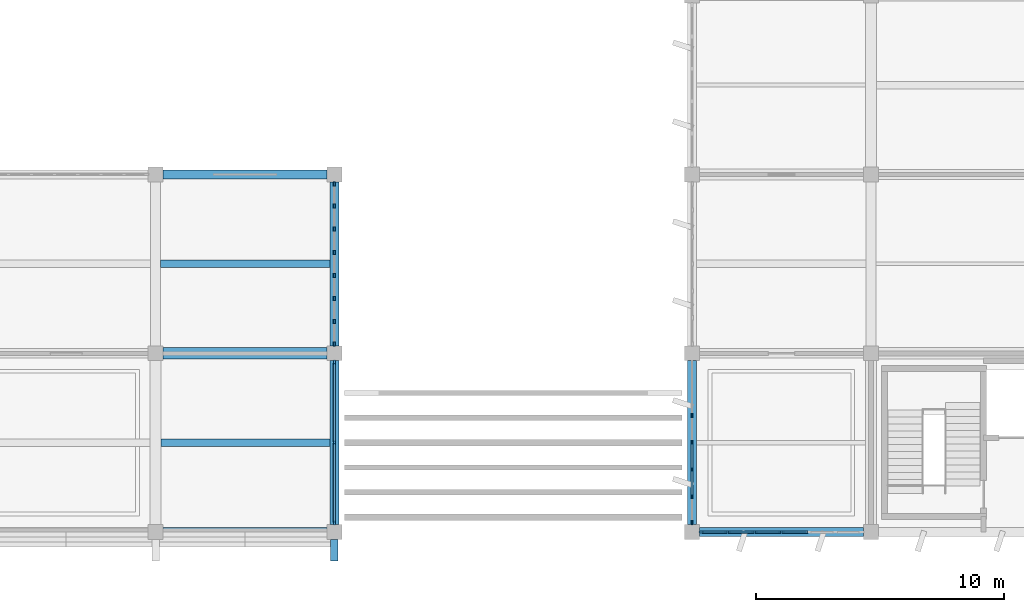
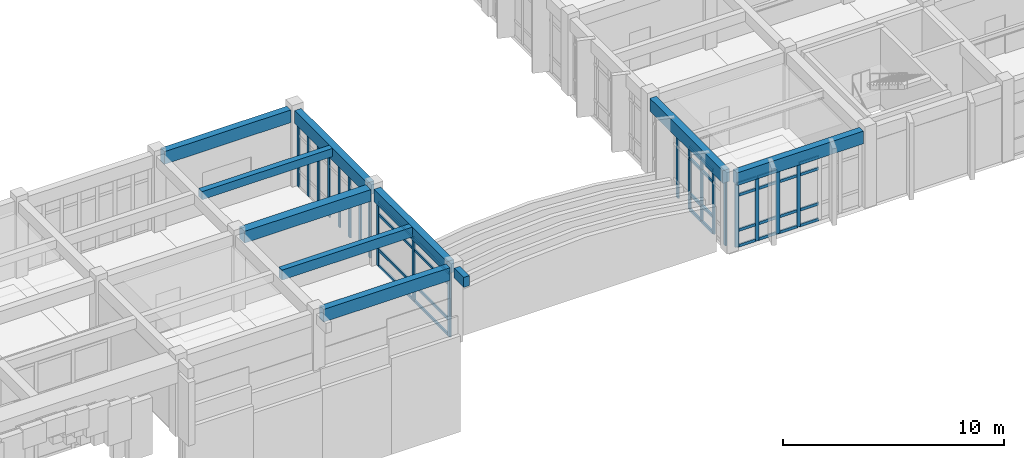
# One storey, part 11 of 81: 52 members, 10 beams, 4 elements without a shape of their own.
"""IFC4 building model written with IfcOpenShell, lengths in metres."""

from ifc_helpers import new_model, si_unit, direction, frame, origin, origin_2d, place, context, subcontext, project, spatial, rectangle, extrude, material, layer, layer_set, material_profile, profile_set, type_object, element, aggregate, save


model = new_model("IFC4")

# Units and contexts
model_context = context("Model", 3, precision=1e-05, world=origin(), true_north=direction((0.0, 1.0)))
body_context = subcontext(model_context, "Body", "Model", "MODEL_VIEW")
ifc_project = project(units=[si_unit("LENGTHUNIT", "METRE"), si_unit("AREAUNIT", "SQUARE_METRE"), si_unit("VOLUMEUNIT", "CUBIC_METRE"), si_unit("PLANEANGLEUNIT", "RADIAN"), si_unit("MASSUNIT", "GRAM", prefix="KILO")], contexts=[model_context])

# Site, building, storey
site_placement = place(None, origin())
site = spatial("IfcSite", under=ifc_project, at=site_placement, CompositionType="ELEMENT")
building_placement = place(site_placement, origin())
building = spatial("IfcBuilding", under=site, at=building_placement, Name="Kavelor Marine Aquarium", CompositionType="ELEMENT")
storey_placement = place(building_placement, frame((0.0, 0.0, 4.679931640625)))
storey = spatial("IfcBuildingStorey", under=building, at=storey_placement, Name="L01", CompositionType="ELEMENT", Elevation=4.679931640625)

# Beams
ifc_material_1 = material(Name="Concrete C40/50", Category="concrete")
ifc_material_profile_1 = material_profile(ifc_material_1, rectangle(XDim=0.449951171875, YDim=0.64990234375, at=origin_2d()), Name="RC-BM 450x650")
ifc_profile_set_1 = profile_set([ifc_material_profile_1], Name="Concrete C40/50")
beam_type_1 = type_object("IfcBeamType", Name="BM-B3", PredefinedType="BEAM", material=ifc_profile_set_1)
beam_1_placement = place(storey_placement, frame((97.10009765625, 10.0, 3.875), z_axis=(1.0, 0.0, 0.0), x_axis=(0.0, 1.0, 0.0)))
element("IfcBeam", 1, at=beam_1_placement, inside=storey, type_object=beam_type_1, Name="bm:x:L01:L02:13_01", PredefinedType="BEAM", context=body_context, shape_type="SweptSolid", body=[
    extrude(rectangle(XDim=0.449951171875, YDim=0.64990234375, at=origin_2d()), origin(), (0.0, 0.0, 1.0), 6.599853515625),
])
ifc_material_2 = material(Name="Concrete C40/50", Category="concrete")
ifc_material_profile_2 = material_profile(ifc_material_2, rectangle(XDim=0.300048828125, YDim=0.449951171875, at=origin_2d()), Name="RC-JS 300x450")
ifc_profile_set_2 = profile_set([ifc_material_profile_2], Name="Concrete C40/50")
beam_type_2 = type_object("IfcBeamType", Name="BM-JS1", PredefinedType="JOIST", material=ifc_profile_set_2)
beam_2_placement = place(storey_placement, frame((97.0, 13.60009765625, 3.97509765625), z_axis=(1.0, 0.0, 0.0), x_axis=(0.0, 1.0, 0.0)))
element("IfcBeam", 2, at=beam_2_placement, inside=storey, type_object=beam_type_2, Name="js:L01:L02:13_01", PredefinedType="JOIST", context=body_context, shape_type="SweptSolid", body=[
    extrude(rectangle(XDim=0.300048828125, YDim=0.449951171875, at=origin_2d()), origin(), (0.0, 0.0, 1.0), 6.824951171875),
])
ifc_material_3 = material(Name="Concrete C40/50", Category="concrete")
ifc_material_profile_3 = material_profile(ifc_material_3, rectangle(XDim=0.300048828125, YDim=0.550048828125, at=origin_2d()), Name="RC-JS 300x550")
ifc_profile_set_3 = profile_set([ifc_material_profile_3], Name="Concrete C40/50")
beam_type_3 = type_object("IfcBeamType", Name="BM-JS2", PredefinedType="JOIST", material=ifc_profile_set_3)
beam_3_placement = place(storey_placement, frame((97.02490234375, 6.39990234375, 3.945068359375), z_axis=(1.0, 0.0, 0.0), x_axis=(0.0, 1.0, 0.0)))
element("IfcBeam", 3, at=beam_3_placement, inside=storey, type_object=beam_type_3, Name="js:L01:L02:13_00", PredefinedType="JOIST", context=body_context, shape_type="SweptSolid", body=[
    extrude(rectangle(XDim=0.300048828125, YDim=0.550048828125, at=origin_2d()), origin(), (0.0, 0.0, 1.0), 6.800048828125),
])
ifc_material_4 = material(Name="Concrete C40/50", Category="concrete")
ifc_material_profile_4 = material_profile(ifc_material_4, rectangle(XDim=0.35009765625, YDim=0.699951171875, at=origin_2d()), Name="RC-SP 350x700")
ifc_profile_set_4 = profile_set([ifc_material_profile_4], Name="Concrete C40/50")
beam_type_4 = type_object("IfcBeamType", Name="BM-SP1", PredefinedType="SPANDREL", material=ifc_profile_set_4)
for number, where, z_axis, x_axis, name in (
    (4, (97.10009765625, 2.800048828125, 3.8701171875), (1.0, 0.0, 0.0), (0.0, 1.0, 0.0), "bm:x:L01:L02:13_00"),
    (5, (97.10009765625, 17.199951171875, 3.85009765625), (1.0, 0.0, 0.0), (0.0, 1.0, 0.0), "bm:x:L01:L02:13_02"),
):
    element("IfcBeam", number, at=place(storey_placement, frame(where, z_axis=z_axis, x_axis=x_axis)), inside=storey, type_object=beam_type_4, Name=name, PredefinedType="SPANDREL", context=body_context, shape_type="SweptSolid", body=[
        extrude(rectangle(XDim=0.35009765625, YDim=0.699951171875, at=origin_2d()), origin(), (0.0, 0.0, 1.0), 6.599853515625),
    ])
beam_4_placement = place(storey_placement, frame((118.699951171875, 2.800048828125, 3.85009765625), z_axis=(1.0, 0.0, 0.0), x_axis=(0.0, 1.0, 0.0)))
element("IfcBeam", 6, at=beam_4_placement, inside=storey, type_object=beam_type_4, Name="bm:x:L01:L02:16_00", PredefinedType="SPANDREL", context=body_context, shape_type="SweptSolid", body=[
    extrude(rectangle(XDim=0.35009765625, YDim=0.699951171875, at=origin_2d()), origin(), (0.0, 0.0, 1.0), 6.60009765625),
])
for number, where, z_axis, x_axis, name in (
    (7, (104.0, 3.10009765625, 3.8701171875), (0.0, 1.0, 0.0), (-1.0, 0.0, 0.0), "bm:y:L01:L02:14_00"),
    (8, (104.0, 10.300048828125, 3.85009765625), (0.0, 1.0, 0.0), (-1.0, 0.0, 0.0), "bm:y:L01:L02:14_01"),
    (9, (118.39990234375, 3.10009765625, 3.85009765625), (0.0, 1.0, 0.0), (-1.0, 0.0, 0.0), "bm:y:L01:L02:16_00"),
):
    element("IfcBeam", number, at=place(storey_placement, frame(where, z_axis=z_axis, x_axis=x_axis)), inside=storey, type_object=beam_type_4, Name=name, PredefinedType="SPANDREL", context=body_context, shape_type="SweptSolid", body=[
        extrude(rectangle(XDim=0.35009765625, YDim=0.699951171875, at=origin_2d()), origin(), (0.0, 0.0, 1.0), 6.599853515625),
    ])
ifc_material_5 = material(Name="Concrete C40/50", Category="concrete")
ifc_material_profile_5 = material_profile(ifc_material_5, rectangle(XDim=0.300048828125, YDim=0.550048828125, at=origin_2d()), Name="RC-SP 300x550")
ifc_profile_set_5 = profile_set([ifc_material_profile_5], Name="Concrete C40/50")
beam_type_5 = type_object("IfcBeamType", Name="BM-SP2", PredefinedType="SPANDREL", material=ifc_profile_set_5)
beam_5_placement = place(storey_placement, frame((104.0, 1.639892578125, 3.945068359375), z_axis=(0.0, 1.0, 0.0), x_axis=(-1.0, 0.0, 0.0)))
element("IfcBeam", 10, at=beam_5_placement, inside=storey, type_object=beam_type_5, Name="bm:out:s:L01:L02:14", PredefinedType="SPANDREL", context=body_context, shape_type="SweptSolid", body=[
    extrude(rectangle(XDim=0.300048828125, YDim=0.550048828125, at=origin_2d()), origin(), (0.0, 0.0, 1.0), 0.860107421875),
])

# Curtain wall, members
ifc_material_6 = material(Name="Thermally Broken Aluminium and Low-E Glass", Category="aluminium")
ifc_layer_1 = layer(ifc_material_6, 0.14794921875)
ifc_layer_set_1 = layer_set([ifc_layer_1], Name="CW-SYS1")
curtain_wall_type_1 = type_object("IfcCurtainWallType", Name="CW-SYS1", PredefinedType="USERDEFINED", material=ifc_layer_set_1)
curtain_wall_1_placement = place(storey_placement, origin())
curtain_wall_1 = element("IfcCurtainWall", 11, at=curtain_wall_1_placement, inside=storey, type_object=curtain_wall_type_1, Name="cw:y:L01:14_01", ObjectType="Curtain Wall", PredefinedType="USERDEFINED")
ifc_material_7 = material(Name="Anodised Aluminium Alloy 6063-T6", Category="aluminium")
ifc_material_profile_6 = material_profile(ifc_material_7, rectangle(XDim=0.074951171875, YDim=0.179931640625, at=origin_2d()), Name="CW-MUL 75x180")
ifc_profile_set_6 = profile_set([ifc_material_profile_6], Name="Anodised Aluminium Alloy 6063-T6")
member_type_1 = type_object("IfcMemberType", Name="CWM-1", PredefinedType="MULLION", material=ifc_profile_set_6)
member_1_placement = place(storey_placement, frame((104.0, 10.382568359375, 0.0), z_axis=(0.0, 0.0, 1.0), x_axis=(-1.0, 0.0, 0.0)))
member_1 = element("IfcMember", 12, at=member_1_placement, type_object=member_type_1, Name="CW01 mullion 1", PredefinedType="MULLION", context=body_context, shape_type="SweptSolid", body=[
    extrude(rectangle(XDim=0.074951171875, YDim=0.179931640625, at=origin_2d()), origin(), (0.0, 0.0, 1.0), 3.489990234375),
])
member_2_placement = place(storey_placement, frame((104.0, 11.27490234375, 0.0), z_axis=(0.0, 0.0, 1.0), x_axis=(-1.0, 0.0, 0.0)))
member_2 = element("IfcMember", 13, at=member_2_placement, type_object=member_type_1, Name="CW01 mullion 2", PredefinedType="MULLION", context=body_context, shape_type="SweptSolid", body=[
    extrude(rectangle(XDim=0.074951171875, YDim=0.179931640625, at=origin_2d()), origin(), (0.0, 0.0, 1.0), 3.489990234375),
])
member_3_placement = place(storey_placement, frame((104.0, 12.205078125, 0.0), z_axis=(0.0, 0.0, 1.0), x_axis=(-1.0, 0.0, 0.0)))
member_3 = element("IfcMember", 14, at=member_3_placement, type_object=member_type_1, Name="CW01 mullion 3", PredefinedType="MULLION", context=body_context, shape_type="SweptSolid", body=[
    extrude(rectangle(XDim=0.074951171875, YDim=0.179931640625, at=origin_2d()), origin(), (0.0, 0.0, 1.0), 3.489990234375),
])
member_4_placement = place(storey_placement, frame((104.0, 13.135009765625, 0.0), z_axis=(0.0, 0.0, 1.0), x_axis=(-1.0, 0.0, 0.0)))
member_4 = element("IfcMember", 15, at=member_4_placement, type_object=member_type_1, Name="CW01 mullion 4", PredefinedType="MULLION", context=body_context, shape_type="SweptSolid", body=[
    extrude(rectangle(XDim=0.074951171875, YDim=0.179931640625, at=origin_2d()), origin(), (0.0, 0.0, 1.0), 3.489990234375),
])
member_5_placement = place(storey_placement, frame((104.0, 14.06494140625, 0.0), z_axis=(0.0, 0.0, 1.0), x_axis=(-1.0, 0.0, 0.0)))
member_5 = element("IfcMember", 16, at=member_5_placement, type_object=member_type_1, Name="CW01 mullion 5", PredefinedType="MULLION", context=body_context, shape_type="SweptSolid", body=[
    extrude(rectangle(XDim=0.074951171875, YDim=0.179931640625, at=origin_2d()), origin(), (0.0, 0.0, 1.0), 3.489990234375),
])
member_6_placement = place(storey_placement, frame((104.0, 14.9951171875, 0.0), z_axis=(0.0, 0.0, 1.0), x_axis=(-1.0, 0.0, 0.0)))
member_6 = element("IfcMember", 17, at=member_6_placement, type_object=member_type_1, Name="CW01 mullion 6", PredefinedType="MULLION", context=body_context, shape_type="SweptSolid", body=[
    extrude(rectangle(XDim=0.074951171875, YDim=0.179931640625, at=origin_2d()), origin(), (0.0, 0.0, 1.0), 3.489990234375),
])
member_7_placement = place(storey_placement, frame((104.0, 15.925048828125, 0.0), z_axis=(0.0, 0.0, 1.0), x_axis=(-1.0, 0.0, 0.0)))
member_7 = element("IfcMember", 18, at=member_7_placement, type_object=member_type_1, Name="CW01 mullion 7", PredefinedType="MULLION", context=body_context, shape_type="SweptSolid", body=[
    extrude(rectangle(XDim=0.074951171875, YDim=0.179931640625, at=origin_2d()), origin(), (0.0, 0.0, 1.0), 3.489990234375),
])
member_8_placement = place(storey_placement, frame((104.0, 16.8173828125, 0.0), z_axis=(0.0, 0.0, 1.0), x_axis=(-1.0, 0.0, 0.0)))
member_8 = element("IfcMember", 19, at=member_8_placement, type_object=member_type_1, Name="CW01 mullion 8", PredefinedType="MULLION", context=body_context, shape_type="SweptSolid", body=[
    extrude(rectangle(XDim=0.074951171875, YDim=0.179931640625, at=origin_2d()), origin(), (0.0, 0.0, 1.0), 3.489990234375),
])
aggregate(curtain_wall_1, [member_1, member_2, member_3, member_4, member_5, member_6, member_7, member_8])

ifc_material_8 = material(Name="Thermally Broken Aluminium and Low-E Glass", Category="aluminium")
ifc_layer_2 = layer(ifc_material_8, 0.172119140625)
ifc_layer_set_2 = layer_set([ifc_layer_2], Name="CW-SYS4")
curtain_wall_type_2 = type_object("IfcCurtainWallType", Name="CW-SYS4", PredefinedType="USERDEFINED", material=ifc_layer_set_2)
curtain_wall_2_placement = place(storey_placement, origin())
curtain_wall_2 = element("IfcCurtainWall", 20, at=curtain_wall_2_placement, inside=storey, type_object=curtain_wall_type_2, Name="cw:y:L01:16_00", ObjectType="Curtain Wall", PredefinedType="USERDEFINED")
member_9_placement = place(storey_placement, frame((118.39990234375, 7.485107421875, 0.0), z_axis=(0.0, 0.0, 1.0), x_axis=(1.0, 0.0, 0.0)))
member_9 = element("IfcMember", 21, at=member_9_placement, type_object=member_type_1, Name="CW04 mullion 3", PredefinedType="MULLION", context=body_context, shape_type="SweptSolid", body=[
    extrude(rectangle(XDim=0.074951171875, YDim=0.179931640625, at=origin_2d()), origin(), (0.0, 0.0, 1.0), 3.489990234375),
])
member_10_placement = place(storey_placement, frame((118.39990234375, 6.39990234375, 0.0), z_axis=(0.0, 0.0, 1.0), x_axis=(1.0, 0.0, 0.0)))
member_10 = element("IfcMember", 22, at=member_10_placement, type_object=member_type_1, Name="CW04 mullion 4", PredefinedType="MULLION", context=body_context, shape_type="SweptSolid", body=[
    extrude(rectangle(XDim=0.074951171875, YDim=0.179931640625, at=origin_2d()), origin(), (0.0, 0.0, 1.0), 3.489990234375),
])
member_11_placement = place(storey_placement, frame((118.39990234375, 5.31494140625, 0.0), z_axis=(0.0, 0.0, 1.0), x_axis=(1.0, 0.0, 0.0)))
member_11 = element("IfcMember", 23, at=member_11_placement, type_object=member_type_1, Name="CW04 mullion 5", PredefinedType="MULLION", context=body_context, shape_type="SweptSolid", body=[
    extrude(rectangle(XDim=0.074951171875, YDim=0.179931640625, at=origin_2d()), origin(), (0.0, 0.0, 1.0), 3.489990234375),
])
member_12_placement = place(storey_placement, frame((118.39990234375, 4.22998046875, 0.0), z_axis=(0.0, 0.0, 1.0), x_axis=(1.0, 0.0, 0.0)))
member_12 = element("IfcMember", 24, at=member_12_placement, type_object=member_type_1, Name="CW04 mullion 6", PredefinedType="MULLION", context=body_context, shape_type="SweptSolid", body=[
    extrude(rectangle(XDim=0.074951171875, YDim=0.179931640625, at=origin_2d()), origin(), (0.0, 0.0, 1.0), 3.489990234375),
])
member_13_placement = place(storey_placement, frame((118.39990234375, 3.1826171875, 0.0), z_axis=(0.0, 0.0, 1.0), x_axis=(1.0, 0.0, 0.0)))
member_13 = element("IfcMember", 25, at=member_13_placement, type_object=member_type_1, Name="CW04 mullion 7", PredefinedType="MULLION", context=body_context, shape_type="SweptSolid", body=[
    extrude(rectangle(XDim=0.074951171875, YDim=0.179931640625, at=origin_2d()), origin(), (0.0, 0.0, 1.0), 3.489990234375),
])

ifc_material_9 = material(Name="Thermally Broken Aluminium and Low-E Glass", Category="aluminium")
ifc_layer_3 = layer(ifc_material_9, 0.1640625)
ifc_layer_set_3 = layer_set([ifc_layer_3], Name="CW-SYS3")
curtain_wall_type_3 = type_object("IfcCurtainWallType", Name="CW-SYS3", PredefinedType="USERDEFINED", material=ifc_layer_set_3)
curtain_wall_3_placement = place(storey_placement, origin())
curtain_wall_3 = element("IfcCurtainWall", 26, at=curtain_wall_3_placement, inside=storey, type_object=curtain_wall_type_3, Name="cw:x:L01:16_00", ObjectType="Curtain Wall", PredefinedType="USERDEFINED")
ifc_material_10 = material(Name="Anodised Aluminium Alloy 6063-T6", Category="aluminium")
ifc_material_profile_7 = material_profile(ifc_material_10, rectangle(XDim=0.0849609375, YDim=0.18994140625, at=origin_2d()), Name="CW-MUL 85x190")
ifc_profile_set_7 = profile_set([ifc_material_profile_7], Name="Anodised Aluminium Alloy 6063-T6")
member_type_2 = type_object("IfcMemberType", Name="CWM-3", PredefinedType="MULLION", material=ifc_profile_set_7)
member_14_placement = place(storey_placement, frame((122.0, 2.800048828125, 0.0), z_axis=(0.0, 0.0, 1.0), x_axis=(0.0, -1.0, 0.0)))
member_14 = element("IfcMember", 27, at=member_14_placement, type_object=member_type_2, Name="CW03 mullion 4", PredefinedType="MULLION", context=body_context, shape_type="SweptSolid", body=[
    extrude(rectangle(XDim=0.0849609375, YDim=0.18994140625, at=origin_2d()), origin(), (0.0, 0.0, 1.0), 3.489990234375),
])
member_15_placement = place(storey_placement, frame((120.9150390625, 2.800048828125, 0.0), z_axis=(0.0, 0.0, 1.0), x_axis=(0.0, -1.0, 0.0)))
member_15 = element("IfcMember", 28, at=member_15_placement, type_object=member_type_2, Name="CW03 mullion 5", PredefinedType="MULLION", context=body_context, shape_type="SweptSolid", body=[
    extrude(rectangle(XDim=0.0849609375, YDim=0.18994140625, at=origin_2d()), origin(), (0.0, 0.0, 1.0), 3.489990234375),
])
member_16_placement = place(storey_placement, frame((119.830078125, 2.800048828125, 0.0), z_axis=(0.0, 0.0, 1.0), x_axis=(0.0, -1.0, 0.0)))
member_16 = element("IfcMember", 29, at=member_16_placement, type_object=member_type_2, Name="CW03 mullion 6", PredefinedType="MULLION", context=body_context, shape_type="SweptSolid", body=[
    extrude(rectangle(XDim=0.0849609375, YDim=0.18994140625, at=origin_2d()), origin(), (0.0, 0.0, 1.0), 3.489990234375),
])
member_17_placement = place(storey_placement, frame((118.77490234375, 2.800048828125, 0.0), z_axis=(0.0, 0.0, 1.0), x_axis=(0.0, -1.0, 0.0)))
member_17 = element("IfcMember", 30, at=member_17_placement, type_object=member_type_2, Name="CW03 mullion 7", PredefinedType="MULLION", context=body_context, shape_type="SweptSolid", body=[
    extrude(rectangle(XDim=0.0849609375, YDim=0.18994140625, at=origin_2d()), origin(), (0.0, 0.0, 1.0), 3.489990234375),
])

ifc_material_11 = material(Name="Thermally Broken Aluminium and Low-E Glass", Category="aluminium")
ifc_layer_4 = layer(ifc_material_11, 0.33203125)
ifc_layer_set_4 = layer_set([ifc_layer_4], Name="CW-SYS24")
curtain_wall_type_4 = type_object("IfcCurtainWallType", Name="CW-SYS24", PredefinedType="USERDEFINED", material=ifc_layer_set_4)
curtain_wall_4_placement = place(storey_placement, origin())
curtain_wall_4 = element("IfcCurtainWall", 31, at=curtain_wall_4_placement, inside=storey, type_object=curtain_wall_type_4, Name="cw:y:L01:14_00", ObjectType="Curtain Wall", PredefinedType="USERDEFINED")
member_18_placement = place(storey_placement, frame((104.0, 3.175048828125, 0.0), z_axis=(0.0, 0.0, 1.0), x_axis=(-1.0, 0.0, 0.0)))
member_18 = element("IfcMember", 32, at=member_18_placement, type_object=member_type_2, Name="CW24 mullion 1", PredefinedType="MULLION", context=body_context, shape_type="SweptSolid", body=[
    extrude(rectangle(XDim=0.0849609375, YDim=0.18994140625, at=origin_2d()), origin(), (0.0, 0.0, 1.0), 3.510009765625),
])
member_19_placement = place(storey_placement, frame((104.0, 6.39990234375, 0.0), z_axis=(0.0, 0.0, 1.0), x_axis=(-1.0, 0.0, 0.0)))
member_19 = element("IfcMember", 33, at=member_19_placement, type_object=member_type_2, Name="CW24 mullion 2", PredefinedType="MULLION", context=body_context, shape_type="SweptSolid", body=[
    extrude(rectangle(XDim=0.0849609375, YDim=0.18994140625, at=origin_2d()), origin(), (0.0, 0.0, 1.0), 3.510009765625),
])
member_20_placement = place(storey_placement, frame((104.0, 9.625, 0.0), z_axis=(0.0, 0.0, 1.0), x_axis=(-1.0, 0.0, 0.0)))
member_20 = element("IfcMember", 34, at=member_20_placement, type_object=member_type_2, Name="CW24 mullion 3", PredefinedType="MULLION", context=body_context, shape_type="SweptSolid", body=[
    extrude(rectangle(XDim=0.0849609375, YDim=0.18994140625, at=origin_2d()), origin(), (0.0, 0.0, 1.0), 3.510009765625),
])
ifc_material_12 = material(Name="Anodised Aluminium Alloy 6063-T6", Category="aluminium")
ifc_material_profile_8 = material_profile(ifc_material_12, rectangle(XDim=0.074951171875, YDim=0.14990234375, at=origin_2d()), Name="CW-TRN 75x150")
ifc_profile_set_8 = profile_set([ifc_material_profile_8], Name="Anodised Aluminium Alloy 6063-T6")
member_type_3 = type_object("IfcMemberType", Name="CWT-1", PredefinedType="USERDEFINED", material=ifc_profile_set_8)
member_21_placement = place(storey_placement, frame((104.0, 3.205078125, 0.03759765625), z_axis=(0.0, 1.0, 0.0), x_axis=(-1.0, 0.0, 0.0)))
member_21 = element("IfcMember", 35, at=member_21_placement, type_object=member_type_3, Name="CW24 transom 1.1", ObjectType="TRANSOM", PredefinedType="USERDEFINED", context=body_context, shape_type="SweptSolid", body=[
    extrude(rectangle(XDim=0.074951171875, YDim=0.14990234375, at=origin_2d()), origin(), (0.0, 0.0, 1.0), 3.1650390625),
])
member_22_placement = place(storey_placement, frame((104.0, 3.205078125, 0.900146484375), z_axis=(0.0, 1.0, 0.0), x_axis=(-1.0, 0.0, 0.0)))
member_22 = element("IfcMember", 36, at=member_22_placement, type_object=member_type_3, Name="CW24 transom 1.2", ObjectType="TRANSOM", PredefinedType="USERDEFINED", context=body_context, shape_type="SweptSolid", body=[
    extrude(rectangle(XDim=0.074951171875, YDim=0.14990234375, at=origin_2d()), origin(), (0.0, 0.0, 1.0), 3.1650390625),
])
member_23_placement = place(storey_placement, frame((104.0, 3.205078125, 2.860107421875), z_axis=(0.0, 1.0, 0.0), x_axis=(-1.0, 0.0, 0.0)))
member_23 = element("IfcMember", 37, at=member_23_placement, type_object=member_type_3, Name="CW24 transom 1.3", ObjectType="TRANSOM", PredefinedType="USERDEFINED", context=body_context, shape_type="SweptSolid", body=[
    extrude(rectangle(XDim=0.074951171875, YDim=0.14990234375, at=origin_2d()), origin(), (0.0, 0.0, 1.0), 3.1650390625),
])
member_24_placement = place(storey_placement, frame((104.0, 3.205078125, 3.47265625), z_axis=(0.0, 1.0, 0.0), x_axis=(-1.0, 0.0, 0.0)))
member_24 = element("IfcMember", 38, at=member_24_placement, type_object=member_type_3, Name="CW24 transom 1.4", ObjectType="TRANSOM", PredefinedType="USERDEFINED", context=body_context, shape_type="SweptSolid", body=[
    extrude(rectangle(XDim=0.074951171875, YDim=0.14990234375, at=origin_2d()), origin(), (0.0, 0.0, 1.0), 3.1650390625),
])
member_25_placement = place(storey_placement, frame((104.0, 6.429931640625, 0.03759765625), z_axis=(0.0, 1.0, 0.0), x_axis=(-1.0, 0.0, 0.0)))
member_25 = element("IfcMember", 39, at=member_25_placement, type_object=member_type_3, Name="CW24 transom 2.1", ObjectType="TRANSOM", PredefinedType="USERDEFINED", context=body_context, shape_type="SweptSolid", body=[
    extrude(rectangle(XDim=0.074951171875, YDim=0.14990234375, at=origin_2d()), origin(), (0.0, 0.0, 1.0), 3.1650390625),
])
member_26_placement = place(storey_placement, frame((104.0, 6.429931640625, 0.900146484375), z_axis=(0.0, 1.0, 0.0), x_axis=(-1.0, 0.0, 0.0)))
member_26 = element("IfcMember", 40, at=member_26_placement, type_object=member_type_3, Name="CW24 transom 2.2", ObjectType="TRANSOM", PredefinedType="USERDEFINED", context=body_context, shape_type="SweptSolid", body=[
    extrude(rectangle(XDim=0.074951171875, YDim=0.14990234375, at=origin_2d()), origin(), (0.0, 0.0, 1.0), 3.1650390625),
])
member_27_placement = place(storey_placement, frame((104.0, 6.429931640625, 2.860107421875), z_axis=(0.0, 1.0, 0.0), x_axis=(-1.0, 0.0, 0.0)))
member_27 = element("IfcMember", 41, at=member_27_placement, type_object=member_type_3, Name="CW24 transom 2.3", ObjectType="TRANSOM", PredefinedType="USERDEFINED", context=body_context, shape_type="SweptSolid", body=[
    extrude(rectangle(XDim=0.074951171875, YDim=0.14990234375, at=origin_2d()), origin(), (0.0, 0.0, 1.0), 3.1650390625),
])
member_28_placement = place(storey_placement, frame((104.0, 6.429931640625, 3.47265625), z_axis=(0.0, 1.0, 0.0), x_axis=(-1.0, 0.0, 0.0)))
member_28 = element("IfcMember", 42, at=member_28_placement, type_object=member_type_3, Name="CW24 transom 2.4", ObjectType="TRANSOM", PredefinedType="USERDEFINED", context=body_context, shape_type="SweptSolid", body=[
    extrude(rectangle(XDim=0.074951171875, YDim=0.14990234375, at=origin_2d()), origin(), (0.0, 0.0, 1.0), 3.1650390625),
])
aggregate(curtain_wall_4, [member_18, member_19, member_20, member_21, member_22, member_23, member_24, member_25, member_26, member_27, member_28])

# Member
ifc_material_13 = material(Name="Anodised Aluminium Alloy 6063-T6", Category="aluminium")
ifc_material_profile_9 = material_profile(ifc_material_13, rectangle(XDim=0.080078125, YDim=0.155029296875, at=origin_2d()), Name="CW-TRN 80x155")
ifc_profile_set_9 = profile_set([ifc_material_profile_9], Name="Anodised Aluminium Alloy 6063-T6")
member_type_4 = type_object("IfcMemberType", Name="CWT-2", PredefinedType="USERDEFINED", material=ifc_profile_set_9)
member_29_placement = place(storey_placement, frame((123.054931640625, 2.800048828125, 0.032470703125), z_axis=(-1.0, 0.0, 0.0), x_axis=(0.0, -1.0, 0.0)))
member_29 = element("IfcMember", 43, at=member_29_placement, type_object=member_type_4, Name="CW03 transom 3.1", ObjectType="TRANSOM", PredefinedType="USERDEFINED", context=body_context, shape_type="SweptSolid", body=[
    extrude(rectangle(XDim=0.080078125, YDim=0.155029296875, at=origin_2d()), origin(), (0.0, 0.0, 1.0), 1.02490234375),
])

member_30_placement = place(storey_placement, frame((123.054931640625, 2.800048828125, 0.900146484375), z_axis=(-1.0, 0.0, 0.0), x_axis=(0.0, -1.0, 0.0)))
member_30 = element("IfcMember", 44, at=member_30_placement, type_object=member_type_4, Name="CW03 transom 3.2", ObjectType="TRANSOM", PredefinedType="USERDEFINED", context=body_context, shape_type="SweptSolid", body=[
    extrude(rectangle(XDim=0.080078125, YDim=0.155029296875, at=origin_2d()), origin(), (0.0, 0.0, 1.0), 1.02490234375),
])

member_31_placement = place(storey_placement, frame((123.054931640625, 2.800048828125, 2.840087890625), z_axis=(-1.0, 0.0, 0.0), x_axis=(0.0, -1.0, 0.0)))
member_31 = element("IfcMember", 45, at=member_31_placement, type_object=member_type_4, Name="CW03 transom 3.3", ObjectType="TRANSOM", PredefinedType="USERDEFINED", context=body_context, shape_type="SweptSolid", body=[
    extrude(rectangle(XDim=0.080078125, YDim=0.155029296875, at=origin_2d()), origin(), (0.0, 0.0, 1.0), 1.02490234375),
])

member_32_placement = place(storey_placement, frame((123.054931640625, 2.800048828125, 3.45751953125), z_axis=(-1.0, 0.0, 0.0), x_axis=(0.0, -1.0, 0.0)))
member_32 = element("IfcMember", 46, at=member_32_placement, type_object=member_type_4, Name="CW03 transom 3.4", ObjectType="TRANSOM", PredefinedType="USERDEFINED", context=body_context, shape_type="SweptSolid", body=[
    extrude(rectangle(XDim=0.080078125, YDim=0.155029296875, at=origin_2d()), origin(), (0.0, 0.0, 1.0), 1.02490234375),
])

member_33_placement = place(storey_placement, frame((121.969970703125, 2.800048828125, 0.032470703125), z_axis=(-1.0, 0.0, 0.0), x_axis=(0.0, -1.0, 0.0)))
member_33 = element("IfcMember", 47, at=member_33_placement, type_object=member_type_4, Name="CW03 transom 4.1", ObjectType="TRANSOM", PredefinedType="USERDEFINED", context=body_context, shape_type="SweptSolid", body=[
    extrude(rectangle(XDim=0.080078125, YDim=0.155029296875, at=origin_2d()), origin(), (0.0, 0.0, 1.0), 1.02490234375),
])

member_34_placement = place(storey_placement, frame((121.969970703125, 2.800048828125, 0.900146484375), z_axis=(-1.0, 0.0, 0.0), x_axis=(0.0, -1.0, 0.0)))
member_34 = element("IfcMember", 48, at=member_34_placement, type_object=member_type_4, Name="CW03 transom 4.2", ObjectType="TRANSOM", PredefinedType="USERDEFINED", context=body_context, shape_type="SweptSolid", body=[
    extrude(rectangle(XDim=0.080078125, YDim=0.155029296875, at=origin_2d()), origin(), (0.0, 0.0, 1.0), 1.02490234375),
])

member_35_placement = place(storey_placement, frame((121.969970703125, 2.800048828125, 2.840087890625), z_axis=(-1.0, 0.0, 0.0), x_axis=(0.0, -1.0, 0.0)))
member_35 = element("IfcMember", 49, at=member_35_placement, type_object=member_type_4, Name="CW03 transom 4.3", ObjectType="TRANSOM", PredefinedType="USERDEFINED", context=body_context, shape_type="SweptSolid", body=[
    extrude(rectangle(XDim=0.080078125, YDim=0.155029296875, at=origin_2d()), origin(), (0.0, 0.0, 1.0), 1.02490234375),
])

member_36_placement = place(storey_placement, frame((121.969970703125, 2.800048828125, 3.45751953125), z_axis=(-1.0, 0.0, 0.0), x_axis=(0.0, -1.0, 0.0)))
member_36 = element("IfcMember", 50, at=member_36_placement, type_object=member_type_4, Name="CW03 transom 4.4", ObjectType="TRANSOM", PredefinedType="USERDEFINED", context=body_context, shape_type="SweptSolid", body=[
    extrude(rectangle(XDim=0.080078125, YDim=0.155029296875, at=origin_2d()), origin(), (0.0, 0.0, 1.0), 1.02490234375),
])

member_37_placement = place(storey_placement, frame((120.885009765625, 2.800048828125, 0.032470703125), z_axis=(-1.0, 0.0, 0.0), x_axis=(0.0, -1.0, 0.0)))
member_37 = element("IfcMember", 51, at=member_37_placement, type_object=member_type_4, Name="CW03 transom 5.1", ObjectType="TRANSOM", PredefinedType="USERDEFINED", context=body_context, shape_type="SweptSolid", body=[
    extrude(rectangle(XDim=0.080078125, YDim=0.155029296875, at=origin_2d()), origin(), (0.0, 0.0, 1.0), 1.02490234375),
])

member_38_placement = place(storey_placement, frame((120.885009765625, 2.800048828125, 0.900146484375), z_axis=(-1.0, 0.0, 0.0), x_axis=(0.0, -1.0, 0.0)))
member_38 = element("IfcMember", 52, at=member_38_placement, type_object=member_type_4, Name="CW03 transom 5.2", ObjectType="TRANSOM", PredefinedType="USERDEFINED", context=body_context, shape_type="SweptSolid", body=[
    extrude(rectangle(XDim=0.080078125, YDim=0.155029296875, at=origin_2d()), origin(), (0.0, 0.0, 1.0), 1.02490234375),
])

member_39_placement = place(storey_placement, frame((120.885009765625, 2.800048828125, 2.840087890625), z_axis=(-1.0, 0.0, 0.0), x_axis=(0.0, -1.0, 0.0)))
member_39 = element("IfcMember", 53, at=member_39_placement, type_object=member_type_4, Name="CW03 transom 5.3", ObjectType="TRANSOM", PredefinedType="USERDEFINED", context=body_context, shape_type="SweptSolid", body=[
    extrude(rectangle(XDim=0.080078125, YDim=0.155029296875, at=origin_2d()), origin(), (0.0, 0.0, 1.0), 1.02490234375),
])

member_40_placement = place(storey_placement, frame((120.885009765625, 2.800048828125, 3.45751953125), z_axis=(-1.0, 0.0, 0.0), x_axis=(0.0, -1.0, 0.0)))
member_40 = element("IfcMember", 54, at=member_40_placement, type_object=member_type_4, Name="CW03 transom 5.4", ObjectType="TRANSOM", PredefinedType="USERDEFINED", context=body_context, shape_type="SweptSolid", body=[
    extrude(rectangle(XDim=0.080078125, YDim=0.155029296875, at=origin_2d()), origin(), (0.0, 0.0, 1.0), 1.02490234375),
])

member_41_placement = place(storey_placement, frame((119.800048828125, 2.800048828125, 0.032470703125), z_axis=(-1.0, 0.0, 0.0), x_axis=(0.0, -1.0, 0.0)))
member_41 = element("IfcMember", 55, at=member_41_placement, type_object=member_type_4, Name="CW03 transom 6.1", ObjectType="TRANSOM", PredefinedType="USERDEFINED", context=body_context, shape_type="SweptSolid", body=[
    extrude(rectangle(XDim=0.080078125, YDim=0.155029296875, at=origin_2d()), origin(), (0.0, 0.0, 1.0), 0.9951171875),
])

member_42_placement = place(storey_placement, frame((119.800048828125, 2.800048828125, 0.900146484375), z_axis=(-1.0, 0.0, 0.0), x_axis=(0.0, -1.0, 0.0)))
member_42 = element("IfcMember", 56, at=member_42_placement, type_object=member_type_4, Name="CW03 transom 6.2", ObjectType="TRANSOM", PredefinedType="USERDEFINED", context=body_context, shape_type="SweptSolid", body=[
    extrude(rectangle(XDim=0.080078125, YDim=0.155029296875, at=origin_2d()), origin(), (0.0, 0.0, 1.0), 0.9951171875),
])

member_43_placement = place(storey_placement, frame((119.800048828125, 2.800048828125, 2.840087890625), z_axis=(-1.0, 0.0, 0.0), x_axis=(0.0, -1.0, 0.0)))
member_43 = element("IfcMember", 57, at=member_43_placement, type_object=member_type_4, Name="CW03 transom 6.3", ObjectType="TRANSOM", PredefinedType="USERDEFINED", context=body_context, shape_type="SweptSolid", body=[
    extrude(rectangle(XDim=0.080078125, YDim=0.155029296875, at=origin_2d()), origin(), (0.0, 0.0, 1.0), 0.9951171875),
])

member_44_placement = place(storey_placement, frame((119.800048828125, 2.800048828125, 3.45751953125), z_axis=(-1.0, 0.0, 0.0), x_axis=(0.0, -1.0, 0.0)))
member_44 = element("IfcMember", 58, at=member_44_placement, type_object=member_type_4, Name="CW03 transom 6.4", ObjectType="TRANSOM", PredefinedType="USERDEFINED", context=body_context, shape_type="SweptSolid", body=[
    extrude(rectangle(XDim=0.080078125, YDim=0.155029296875, at=origin_2d()), origin(), (0.0, 0.0, 1.0), 0.9951171875),
])

aggregate(curtain_wall_3, [member_14, member_15, member_16, member_17, member_29, member_30, member_31, member_32, member_33, member_34, member_35, member_36, member_37, member_38, member_39, member_40, member_41, member_42, member_43, member_44])

ifc_material_14 = material(Name="Anodised Aluminium Alloy 6063-T6", Category="aluminium")
ifc_material_profile_10 = material_profile(ifc_material_14, rectangle(XDim=0.0849609375, YDim=0.159912109375, at=origin_2d()), Name="CW-TRN 85x160")
ifc_profile_set_10 = profile_set([ifc_material_profile_10], Name="Anodised Aluminium Alloy 6063-T6")
member_type_5 = type_object("IfcMemberType", Name="CWT-3", PredefinedType="USERDEFINED", material=ifc_profile_set_10)
member_45_placement = place(storey_placement, frame((118.39990234375, 6.362548828125, 0.030029296875), z_axis=(0.0, -1.0, 0.0), x_axis=(1.0, 0.0, 0.0)))
member_45 = element("IfcMember", 59, at=member_45_placement, type_object=member_type_5, Name="CW04 transom 4.1", ObjectType="TRANSOM", PredefinedType="USERDEFINED", context=body_context, shape_type="SweptSolid", body=[
    extrude(rectangle(XDim=0.0849609375, YDim=0.159912109375, at=origin_2d()), origin(), (0.0, 0.0, 1.0), 1.010009765625),
])

member_46_placement = place(storey_placement, frame((118.39990234375, 6.362548828125, 0.900146484375), z_axis=(0.0, -1.0, 0.0), x_axis=(1.0, 0.0, 0.0)))
member_46 = element("IfcMember", 60, at=member_46_placement, type_object=member_type_5, Name="CW04 transom 4.2", ObjectType="TRANSOM", PredefinedType="USERDEFINED", context=body_context, shape_type="SweptSolid", body=[
    extrude(rectangle(XDim=0.0849609375, YDim=0.159912109375, at=origin_2d()), origin(), (0.0, 0.0, 1.0), 1.010009765625),
])

member_47_placement = place(storey_placement, frame((118.39990234375, 6.362548828125, 2.840087890625), z_axis=(0.0, -1.0, 0.0), x_axis=(1.0, 0.0, 0.0)))
member_47 = element("IfcMember", 61, at=member_47_placement, type_object=member_type_5, Name="CW04 transom 4.3", ObjectType="TRANSOM", PredefinedType="USERDEFINED", context=body_context, shape_type="SweptSolid", body=[
    extrude(rectangle(XDim=0.0849609375, YDim=0.159912109375, at=origin_2d()), origin(), (0.0, 0.0, 1.0), 1.010009765625),
])

member_48_placement = place(storey_placement, frame((118.39990234375, 6.362548828125, 3.4599609375), z_axis=(0.0, -1.0, 0.0), x_axis=(1.0, 0.0, 0.0)))
member_48 = element("IfcMember", 62, at=member_48_placement, type_object=member_type_5, Name="CW04 transom 4.4", ObjectType="TRANSOM", PredefinedType="USERDEFINED", context=body_context, shape_type="SweptSolid", body=[
    extrude(rectangle(XDim=0.0849609375, YDim=0.159912109375, at=origin_2d()), origin(), (0.0, 0.0, 1.0), 1.010009765625),
])

member_49_placement = place(storey_placement, frame((118.39990234375, 5.277587890625, 0.030029296875), z_axis=(0.0, -1.0, 0.0), x_axis=(1.0, 0.0, 0.0)))
member_49 = element("IfcMember", 63, at=member_49_placement, type_object=member_type_5, Name="CW04 transom 5.1", ObjectType="TRANSOM", PredefinedType="USERDEFINED", context=body_context, shape_type="SweptSolid", body=[
    extrude(rectangle(XDim=0.0849609375, YDim=0.159912109375, at=origin_2d()), origin(), (0.0, 0.0, 1.0), 1.010009765625),
])

member_50_placement = place(storey_placement, frame((118.39990234375, 5.277587890625, 0.900146484375), z_axis=(0.0, -1.0, 0.0), x_axis=(1.0, 0.0, 0.0)))
member_50 = element("IfcMember", 64, at=member_50_placement, type_object=member_type_5, Name="CW04 transom 5.2", ObjectType="TRANSOM", PredefinedType="USERDEFINED", context=body_context, shape_type="SweptSolid", body=[
    extrude(rectangle(XDim=0.0849609375, YDim=0.159912109375, at=origin_2d()), origin(), (0.0, 0.0, 1.0), 1.010009765625),
])

member_51_placement = place(storey_placement, frame((118.39990234375, 5.277587890625, 2.840087890625), z_axis=(0.0, -1.0, 0.0), x_axis=(1.0, 0.0, 0.0)))
member_51 = element("IfcMember", 65, at=member_51_placement, type_object=member_type_5, Name="CW04 transom 5.3", ObjectType="TRANSOM", PredefinedType="USERDEFINED", context=body_context, shape_type="SweptSolid", body=[
    extrude(rectangle(XDim=0.0849609375, YDim=0.159912109375, at=origin_2d()), origin(), (0.0, 0.0, 1.0), 1.010009765625),
])

member_52_placement = place(storey_placement, frame((118.39990234375, 5.277587890625, 3.4599609375), z_axis=(0.0, -1.0, 0.0), x_axis=(1.0, 0.0, 0.0)))
member_52 = element("IfcMember", 66, at=member_52_placement, type_object=member_type_5, Name="CW04 transom 5.4", ObjectType="TRANSOM", PredefinedType="USERDEFINED", context=body_context, shape_type="SweptSolid", body=[
    extrude(rectangle(XDim=0.0849609375, YDim=0.159912109375, at=origin_2d()), origin(), (0.0, 0.0, 1.0), 1.010009765625),
])

aggregate(curtain_wall_2, [member_9, member_10, member_11, member_12, member_13, member_45, member_46, member_47, member_48, member_49, member_50, member_51, member_52])

save(model, "model.ifc")
